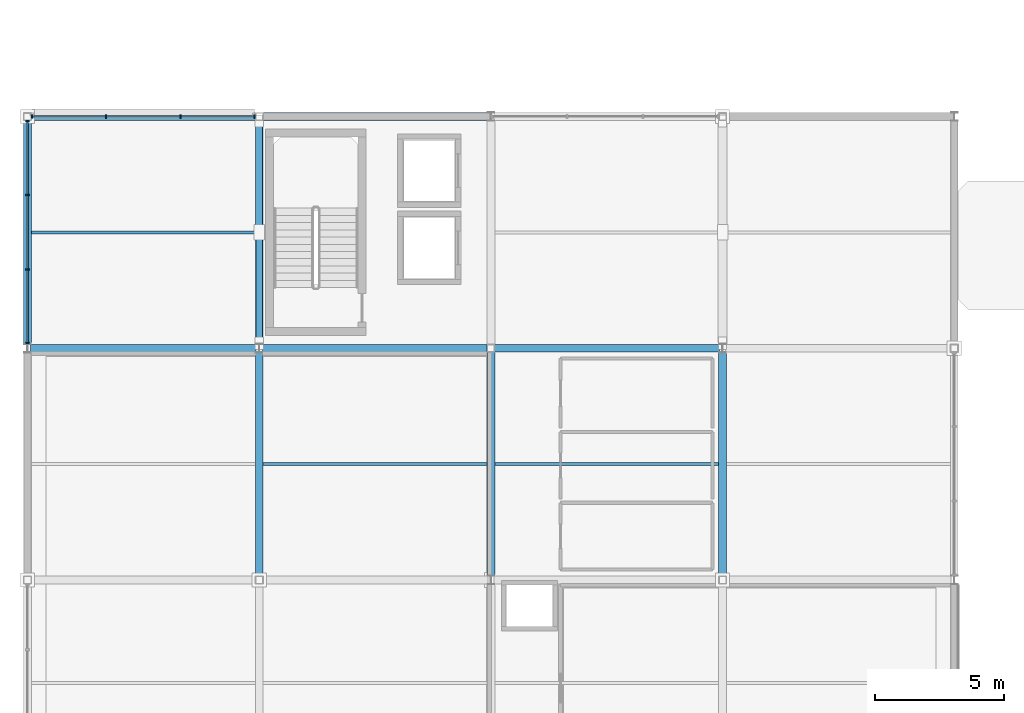
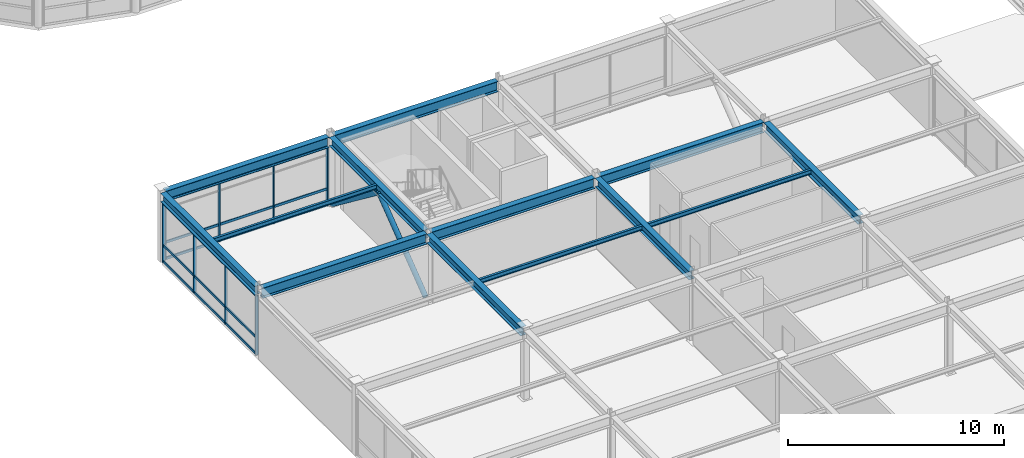
# One storey, part 29 of 108: 28 members, 13 beams, 2 elements without a shape of their own.
"""IFC4 building model written with IfcOpenShell, lengths in metres."""

import ifcopenshell
import ifcopenshell.guid

model = None  # the IFC model being written
_history = None  # IfcOwnerHistory: only IFC2X3 demands one
_inside = {}  # id of a spatial element -> (the spatial element, [elements in it])
_under = {}  # id of a project, library or spatial element -> (it, [spatial elements below it])
_declared = {}  # id of a project -> (the project, [libraries it declares])
_typed = {}  # id of a type object -> (the type object, [elements of that type])
_made_of = {}  # id of a material, layer set ... -> (it, [elements and type objects made of it])


def new_model(schema):
    """Start an empty IFC model of exactly this schema.

    Asked for "IFC4X3", IfcOpenShell would pick the latest addendum, in which some entities
    have other attributes; the version numbers below select the first issue.
    IFC2X3 requires an IfcOwnerHistory on every rooted entity: one is made here for all.
    """
    global model, _history
    if schema == "IFC4X3":
        model = ifcopenshell.file(schema_version=(4, 3, 0, 0))
    else:
        model = ifcopenshell.file(schema=schema)
    _inside.clear()
    _under.clear()
    _declared.clear()
    _typed.clear()
    _made_of.clear()
    _history = None
    if model.schema == "IFC2X3":
        org = make("IfcOrganization", Name="unknown")
        user = make(
            "IfcPersonAndOrganization",
            ThePerson=make("IfcPerson", FamilyName="unknown"),
            TheOrganization=org,
        )
        app = make(
            "IfcApplication",
            ApplicationDeveloper=org,
            Version="unknown",
            ApplicationFullName="unknown",
            ApplicationIdentifier="unknown",
        )
        _history = make(
            "IfcOwnerHistory",
            OwningUser=user,
            OwningApplication=app,
            ChangeAction="ADDED",
            CreationDate=0,
        )
    return model


def make(cls, **values):
    """One entity of the class cls with the attributes given. An attribute that is None is left unset."""
    return model.create_entity(
        cls, **{name: value for name, value in values.items() if value is not None}
    )


def rooted(cls, **values):
    """An entity with a GlobalId (a new one), such as an element, a storey or a relation."""
    return make(cls, GlobalId=ifcopenshell.guid.new(), OwnerHistory=_history, **values)


def si_unit(unit_type, name, prefix=None):
    """IfcSIUnit, for example si_unit("LENGTHUNIT", "METRE", prefix="MILLI")."""
    return make("IfcSIUnit", UnitType=unit_type, Prefix=prefix, Name=name)


def assignment(units):
    """IfcUnitAssignment: the units of a project."""
    return None if units is None else make("IfcUnitAssignment", Units=units)


def point(xyz):
    """IfcCartesianPoint."""
    return None if xyz is None else make("IfcCartesianPoint", Coordinates=xyz)


def direction(xyz):
    """IfcDirection."""
    return None if xyz is None else make("IfcDirection", DirectionRatios=xyz)


def frame(location, z_axis=None, x_axis=None):
    """IfcAxis2Placement3D, a coordinate frame: its origin and axes. An axis left out is left unset."""
    return make(
        "IfcAxis2Placement3D",
        Location=point(location),
        Axis=direction(z_axis),
        RefDirection=direction(x_axis),
    )


def frame_2d(location, x_axis=None):
    """IfcAxis2Placement2D, a coordinate frame in the plane: its origin and x axis."""
    return make(
        "IfcAxis2Placement2D", Location=point(location), RefDirection=direction(x_axis)
    )


def origin():
    """The frame at (0, 0, 0) with its axes left unset."""
    return frame((0.0, 0.0, 0.0))


def origin_2d():
    """The frame at (0, 0) in the plane with its x axis left unset."""
    return frame_2d((0.0, 0.0))


def place(relative_to, where):
    """IfcLocalPlacement: puts the frame where relative to a parent placement (None: the world)."""
    return make(
        "IfcLocalPlacement", PlacementRelTo=relative_to, RelativePlacement=where
    )


def context(
    kind, dimensions, precision=None, world=None, true_north=None, identifier=None
):
    """IfcGeometricRepresentationContext, for example the 3D "Model" context."""
    return make(
        "IfcGeometricRepresentationContext",
        ContextIdentifier=identifier,
        ContextType=kind,
        CoordinateSpaceDimension=dimensions,
        Precision=precision,
        WorldCoordinateSystem=world,
        TrueNorth=true_north,
    )


def subcontext(parent, identifier, kind, view, scale=None):
    """IfcGeometricRepresentationSubContext, for example "Body" below "Model"."""
    return make(
        "IfcGeometricRepresentationSubContext",
        ContextIdentifier=identifier,
        ContextType=kind,
        ParentContext=parent,
        TargetScale=scale,
        TargetView=view,
    )


def project(units=None, contexts=None):
    """IfcProject with its units and contexts."""
    return rooted(
        "IfcProject",
        Name="project",
        RepresentationContexts=contexts,
        UnitsInContext=assignment(units),
    )


def spatial(cls, under=None, at=None, **own):
    """A site, building, storey or space (cls), placed at a placement, below another one or the project."""
    s = rooted(cls, ObjectPlacement=at, **own)
    if under is not None:
        _under.setdefault(under.id(), (under, []))[1].append(s)
    return s


def profile(cls, at=None, kind="AREA", **sizes):
    """A parametric profile (cls). Its sizes go by their IFC names, for example OverallWidth=200.0."""
    return make(cls, ProfileType=kind, Position=at, **sizes)


def rectangle(**sizes):
    """IfcRectangleProfileDef."""
    return profile("IfcRectangleProfileDef", **sizes)


def hollow_circle(**sizes):
    """IfcCircleHollowProfileDef."""
    return profile("IfcCircleHollowProfileDef", **sizes)


def i_section(**sizes):
    """IfcIShapeProfileDef."""
    return profile("IfcIShapeProfileDef", **sizes)


def extrude(swept, where, along, depth):
    """IfcExtrudedAreaSolid: the profile swept, set in the frame where, extruded along a direction by depth."""
    return make(
        "IfcExtrudedAreaSolid",
        SweptArea=swept,
        Position=where,
        ExtrudedDirection=direction(along),
        Depth=depth,
    )


def shape(context_of_items, identifier, shape_type, items):
    """IfcShapeRepresentation: the items that make up one representation, for example the "Body"."""
    return make(
        "IfcShapeRepresentation",
        ContextOfItems=context_of_items,
        RepresentationIdentifier=identifier,
        RepresentationType=shape_type,
        Items=items,
    )


def material(Name=None, Category=None):
    """IfcMaterial."""
    return make("IfcMaterial", Name=Name, Category=Category)


def material_profile(
    of_material, cross_section, Name=None, Category=None, Priority=None
):
    """IfcMaterialProfile: a cross section and its material."""
    return make(
        "IfcMaterialProfile",
        Name=Name,
        Material=of_material,
        Profile=cross_section,
        Priority=Priority,
        Category=Category,
    )


def profile_set(profiles, Name=None, composite=None):
    """IfcMaterialProfileSet."""
    return make(
        "IfcMaterialProfileSet",
        Name=Name,
        MaterialProfiles=profiles,
        CompositeProfile=composite,
    )


def made_of(thing, what):
    """Note that an element or type object is made of a material, layer set ...; save() writes the relation."""
    if what is not None:
        _made_of.setdefault(what.id(), (what, []))[1].append(thing)
    return thing


def type_object(cls, material=None, **own):
    """A type object (cls), such as IfcWallType, which elements share."""
    return made_of(rooted(cls, **own), material)


def element(
    cls,
    number,
    at=None,
    inside=None,
    cuts=None,
    type_object=None,
    material=None,
    context=None,
    identifier="Body",
    shape_type=None,
    held_by="IfcProductDefinitionShape",
    body=None,
    shapes=None,
    **own,
):
    """One element of the class cls, such as IfcWall. Its Tag is "e" and its number.

    at: its placement. inside: the storey or other place that contains it. cuts: it is an
    opening in that element (IfcRelVoidsElement). A single representation is given by context,
    identifier, shape_type and body (its items); several are given by shapes. held_by: the class
    of the entity that holds the representations. save() writes the other relations.
    """
    e = rooted(cls, Tag="e%d" % number, ObjectPlacement=at, **own)
    if body is not None:
        shapes = [shape(context, identifier, shape_type, body)]
    if shapes is not None:
        e.Representation = make(held_by, Representations=shapes)
    if inside is not None:
        _inside.setdefault(inside.id(), (inside, []))[1].append(e)
    if cuts is not None:
        rooted(
            "IfcRelVoidsElement", RelatingBuildingElement=cuts, RelatedOpeningElement=e
        )
    if type_object is not None:
        _typed.setdefault(type_object.id(), (type_object, []))[1].append(e)
    return made_of(e, material)


def aggregate(whole, parts):
    """IfcRelAggregates: a whole, such as a stair, and the parts it consists of."""
    return rooted("IfcRelAggregates", RelatingObject=whole, RelatedObjects=parts)


def save(model, path):
    """Write the relations noted so far, then the file.

    IfcRelAggregates (storeys below a building ...), IfcRelContainedInSpatialStructure (elements
    in a storey), IfcRelDefinesByType, IfcRelAssociatesMaterial and IfcRelDeclares: one each for
    every whole, place, type object, material and project.
    """
    for whole, parts in _under.values():
        aggregate(whole, parts)
    for where, things in _inside.values():
        rooted(
            "IfcRelContainedInSpatialStructure",
            RelatedElements=things,
            RelatingStructure=where,
        )
    for kind, things in _typed.values():
        rooted("IfcRelDefinesByType", RelatedObjects=things, RelatingType=kind)
    for what, things in _made_of.values():
        rooted("IfcRelAssociatesMaterial", RelatedObjects=things, RelatingMaterial=what)
    for by, libraries in _declared.values():
        rooted("IfcRelDeclares", RelatingContext=by, RelatedDefinitions=libraries)
    model.write(path)


model = new_model("IFC4")

# Units and contexts
model_context = context("Model", 3, precision=1e-05, world=origin(), true_north=direction((0.0, 1.0)))
body_context = subcontext(model_context, "Body", "Model", "MODEL_VIEW")
ifc_project = project(units=[si_unit("LENGTHUNIT", "METRE"), si_unit("AREAUNIT", "SQUARE_METRE"), si_unit("VOLUMEUNIT", "CUBIC_METRE"), si_unit("PLANEANGLEUNIT", "RADIAN"), si_unit("MASSUNIT", "GRAM", prefix="KILO")], contexts=[model_context])

# Site, building, storey
site_placement = place(None, origin())
site = spatial("IfcSite", under=ifc_project, at=site_placement, CompositionType="ELEMENT")
building_placement = place(site_placement, origin())
building = spatial("IfcBuilding", under=site, at=building_placement, Name="Suzunagisa Mobility Hub", CompositionType="ELEMENT")
storey_placement = place(building_placement, frame((0.0, 0.0, 9.300048828125)))
storey = spatial("IfcBuildingStorey", under=building, at=storey_placement, Name="L02", CompositionType="ELEMENT", Elevation=9.300048828125)

# Curtain wall, members
ifc_material_1 = material(Name="Thermally Broken Anodized Aluminum and Low-E Glazing", Category="aluminium")
curtain_wall_type = type_object("IfcCurtainWallType", Name="Unitised Curtain Wall CW-12 8750x3300", PredefinedType="USERDEFINED", material=ifc_material_1)
curtain_wall_1_placement = place(storey_placement, origin())
curtain_wall_1 = element("IfcCurtainWall", 1, at=curtain_wall_1_placement, inside=storey, type_object=curtain_wall_type, Name="L02 Unitised Curtain Wall CW-30", ObjectType="UNITISED CURTAIN WALL", PredefinedType="USERDEFINED")
ifc_material_2 = material(Name="Anodized Aluminum 6063-T6", Category="aluminium")
ifc_material_profile_1 = material_profile(ifc_material_2, rectangle(XDim=0.06494140625, YDim=0.139892578125, at=origin_2d()), Name="TRAN-65x140")
ifc_profile_set_1 = profile_set([ifc_material_profile_1], Name="Anodized Aluminum 6063-T6")
member_type_1 = type_object("IfcMemberType", Name="Curtain Wall Framing CM-01 TRAN-65x140", PredefinedType="USERDEFINED", material=ifc_profile_set_1)
member_1_placement = place(storey_placement, frame((8.7919921875, 62.0, 0.032470703125), z_axis=(-1.0, 0.0, 0.0), x_axis=(0.0, -1.0, 0.0)))
member_1 = element("IfcMember", 2, at=member_1_placement, type_object=member_type_1, Name="Curtain Wall Transom 30-T1.1", ObjectType="TRANSOM", PredefinedType="USERDEFINED", context=body_context, shape_type="SweptSolid", body=[
    extrude(rectangle(XDim=0.06494140625, YDim=0.139892578125, at=origin_2d()), origin(), (0.0, 0.0, 1.0), 2.81396484375),
])
member_2_placement = place(storey_placement, frame((8.7919921875, 62.0, 0.949951171875), z_axis=(-1.0, 0.0, 0.0), x_axis=(0.0, -1.0, 0.0)))
member_2 = element("IfcMember", 3, at=member_2_placement, type_object=member_type_1, Name="Curtain Wall Transom 30-T1.2", ObjectType="TRANSOM", PredefinedType="USERDEFINED", context=body_context, shape_type="SweptSolid", body=[
    extrude(rectangle(XDim=0.06494140625, YDim=0.139892578125, at=origin_2d()), origin(), (0.0, 0.0, 1.0), 2.81396484375),
])
member_3_placement = place(storey_placement, frame((8.7919921875, 62.0, 3.299560546875), z_axis=(-1.0, 0.0, 0.0), x_axis=(0.0, -1.0, 0.0)))
member_3 = element("IfcMember", 4, at=member_3_placement, type_object=member_type_1, Name="Curtain Wall Transom 30-T1.3", ObjectType="TRANSOM", PredefinedType="USERDEFINED", context=body_context, shape_type="SweptSolid", body=[
    extrude(rectangle(XDim=0.06494140625, YDim=0.139892578125, at=origin_2d()), origin(), (0.0, 0.0, 1.0), 2.81396484375),
])
member_4_placement = place(storey_placement, frame((5.922119140625, 62.0, 0.032470703125), z_axis=(-1.0, 0.0, 0.0), x_axis=(0.0, -1.0, 0.0)))
member_4 = element("IfcMember", 5, at=member_4_placement, type_object=member_type_1, Name="Curtain Wall Transom 30-T2.1", ObjectType="TRANSOM", PredefinedType="USERDEFINED", context=body_context, shape_type="SweptSolid", body=[
    extrude(rectangle(XDim=0.06494140625, YDim=0.139892578125, at=origin_2d()), origin(), (0.0, 0.0, 1.0), 2.84423828125),
])
member_5_placement = place(storey_placement, frame((5.922119140625, 62.0, 0.949951171875), z_axis=(-1.0, 0.0, 0.0), x_axis=(0.0, -1.0, 0.0)))
member_5 = element("IfcMember", 6, at=member_5_placement, type_object=member_type_1, Name="Curtain Wall Transom 30-T2.2", ObjectType="TRANSOM", PredefinedType="USERDEFINED", context=body_context, shape_type="SweptSolid", body=[
    extrude(rectangle(XDim=0.06494140625, YDim=0.139892578125, at=origin_2d()), origin(), (0.0, 0.0, 1.0), 2.84423828125),
])
member_6_placement = place(storey_placement, frame((5.922119140625, 62.0, 3.299560546875), z_axis=(-1.0, 0.0, 0.0), x_axis=(0.0, -1.0, 0.0)))
member_6 = element("IfcMember", 7, at=member_6_placement, type_object=member_type_1, Name="Curtain Wall Transom 30-T2.3", ObjectType="TRANSOM", PredefinedType="USERDEFINED", context=body_context, shape_type="SweptSolid", body=[
    extrude(rectangle(XDim=0.06494140625, YDim=0.139892578125, at=origin_2d()), origin(), (0.0, 0.0, 1.0), 2.84423828125),
])
member_7_placement = place(storey_placement, frame((3.02197265625, 62.0, 0.032470703125), z_axis=(-1.0, 0.0, 0.0), x_axis=(0.0, -1.0, 0.0)))
member_7 = element("IfcMember", 8, at=member_7_placement, type_object=member_type_1, Name="Curtain Wall Transom 30-T3.1", ObjectType="TRANSOM", PredefinedType="USERDEFINED", context=body_context, shape_type="SweptSolid", body=[
    extrude(rectangle(XDim=0.06494140625, YDim=0.139892578125, at=origin_2d()), origin(), (0.0, 0.0, 1.0), 2.81396484375),
])
member_8_placement = place(storey_placement, frame((3.02197265625, 62.0, 0.949951171875), z_axis=(-1.0, 0.0, 0.0), x_axis=(0.0, -1.0, 0.0)))
member_8 = element("IfcMember", 9, at=member_8_placement, type_object=member_type_1, Name="Curtain Wall Transom 30-T3.2", ObjectType="TRANSOM", PredefinedType="USERDEFINED", context=body_context, shape_type="SweptSolid", body=[
    extrude(rectangle(XDim=0.06494140625, YDim=0.139892578125, at=origin_2d()), origin(), (0.0, 0.0, 1.0), 2.81396484375),
])
member_9_placement = place(storey_placement, frame((3.02197265625, 62.0, 3.299560546875), z_axis=(-1.0, 0.0, 0.0), x_axis=(0.0, -1.0, 0.0)))
member_9 = element("IfcMember", 10, at=member_9_placement, type_object=member_type_1, Name="Curtain Wall Transom 30-T3.3", ObjectType="TRANSOM", PredefinedType="USERDEFINED", context=body_context, shape_type="SweptSolid", body=[
    extrude(rectangle(XDim=0.06494140625, YDim=0.139892578125, at=origin_2d()), origin(), (0.0, 0.0, 1.0), 2.81396484375),
])

curtain_wall_2_placement = place(storey_placement, origin())
curtain_wall_2 = element("IfcCurtainWall", 11, at=curtain_wall_2_placement, inside=storey, type_object=curtain_wall_type, Name="L02 Unitised Curtain Wall CW-31", ObjectType="UNITISED CURTAIN WALL", PredefinedType="USERDEFINED")
member_10_placement = place(storey_placement, frame((0.0, 61.7919921875, 0.032470703125), z_axis=(0.0, -1.0, 0.0), x_axis=(1.0, 0.0, 0.0)))
member_10 = element("IfcMember", 12, at=member_10_placement, type_object=member_type_1, Name="Curtain Wall Transom 31-T1.1", ObjectType="TRANSOM", PredefinedType="USERDEFINED", context=body_context, shape_type="SweptSolid", body=[
    extrude(rectangle(XDim=0.06494140625, YDim=0.139892578125, at=origin_2d()), origin(), (0.0, 0.0, 1.0), 2.807373046875),
])
member_11_placement = place(storey_placement, frame((0.0, 61.7919921875, 0.949951171875), z_axis=(0.0, -1.0, 0.0), x_axis=(1.0, 0.0, 0.0)))
member_11 = element("IfcMember", 13, at=member_11_placement, type_object=member_type_1, Name="Curtain Wall Transom 31-T1.2", ObjectType="TRANSOM", PredefinedType="USERDEFINED", context=body_context, shape_type="SweptSolid", body=[
    extrude(rectangle(XDim=0.06494140625, YDim=0.139892578125, at=origin_2d()), origin(), (0.0, 0.0, 1.0), 2.807373046875),
])
member_12_placement = place(storey_placement, frame((0.0, 61.7919921875, 3.299560546875), z_axis=(0.0, -1.0, 0.0), x_axis=(1.0, 0.0, 0.0)))
member_12 = element("IfcMember", 14, at=member_12_placement, type_object=member_type_1, Name="Curtain Wall Transom 31-T1.3", ObjectType="TRANSOM", PredefinedType="USERDEFINED", context=body_context, shape_type="SweptSolid", body=[
    extrude(rectangle(XDim=0.06494140625, YDim=0.139892578125, at=origin_2d()), origin(), (0.0, 0.0, 1.0), 2.807373046875),
])
member_13_placement = place(storey_placement, frame((0.0, 58.9287109375, 0.032470703125), z_axis=(0.0, -1.0, 0.0), x_axis=(1.0, 0.0, 0.0)))
member_13 = element("IfcMember", 15, at=member_13_placement, type_object=member_type_1, Name="Curtain Wall Transom 31-T2.1", ObjectType="TRANSOM", PredefinedType="USERDEFINED", context=body_context, shape_type="SweptSolid", body=[
    extrude(rectangle(XDim=0.06494140625, YDim=0.139892578125, at=origin_2d()), origin(), (0.0, 0.0, 1.0), 2.83740234375),
])
member_14_placement = place(storey_placement, frame((0.0, 58.9287109375, 0.949951171875), z_axis=(0.0, -1.0, 0.0), x_axis=(1.0, 0.0, 0.0)))
member_14 = element("IfcMember", 16, at=member_14_placement, type_object=member_type_1, Name="Curtain Wall Transom 31-T2.2", ObjectType="TRANSOM", PredefinedType="USERDEFINED", context=body_context, shape_type="SweptSolid", body=[
    extrude(rectangle(XDim=0.06494140625, YDim=0.139892578125, at=origin_2d()), origin(), (0.0, 0.0, 1.0), 2.83740234375),
])
member_15_placement = place(storey_placement, frame((0.0, 58.9287109375, 3.299560546875), z_axis=(0.0, -1.0, 0.0), x_axis=(1.0, 0.0, 0.0)))
member_15 = element("IfcMember", 17, at=member_15_placement, type_object=member_type_1, Name="Curtain Wall Transom 31-T2.3", ObjectType="TRANSOM", PredefinedType="USERDEFINED", context=body_context, shape_type="SweptSolid", body=[
    extrude(rectangle(XDim=0.06494140625, YDim=0.139892578125, at=origin_2d()), origin(), (0.0, 0.0, 1.0), 2.83740234375),
])
member_16_placement = place(storey_placement, frame((0.0, 56.035400390625, 0.032470703125), z_axis=(0.0, -1.0, 0.0), x_axis=(1.0, 0.0, 0.0)))
member_16 = element("IfcMember", 18, at=member_16_placement, type_object=member_type_1, Name="Curtain Wall Transom 31-T3.1", ObjectType="TRANSOM", PredefinedType="USERDEFINED", context=body_context, shape_type="SweptSolid", body=[
    extrude(rectangle(XDim=0.06494140625, YDim=0.139892578125, at=origin_2d()), origin(), (0.0, 0.0, 1.0), 2.807373046875),
])
member_17_placement = place(storey_placement, frame((0.0, 56.035400390625, 0.949951171875), z_axis=(0.0, -1.0, 0.0), x_axis=(1.0, 0.0, 0.0)))
member_17 = element("IfcMember", 19, at=member_17_placement, type_object=member_type_1, Name="Curtain Wall Transom 31-T3.2", ObjectType="TRANSOM", PredefinedType="USERDEFINED", context=body_context, shape_type="SweptSolid", body=[
    extrude(rectangle(XDim=0.06494140625, YDim=0.139892578125, at=origin_2d()), origin(), (0.0, 0.0, 1.0), 2.807373046875),
])
member_18_placement = place(storey_placement, frame((0.0, 56.035400390625, 3.299560546875), z_axis=(0.0, -1.0, 0.0), x_axis=(1.0, 0.0, 0.0)))
member_18 = element("IfcMember", 20, at=member_18_placement, type_object=member_type_1, Name="Curtain Wall Transom 31-T3.3", ObjectType="TRANSOM", PredefinedType="USERDEFINED", context=body_context, shape_type="SweptSolid", body=[
    extrude(rectangle(XDim=0.06494140625, YDim=0.139892578125, at=origin_2d()), origin(), (0.0, 0.0, 1.0), 2.807373046875),
])

# Member
ifc_material_profile_2 = material_profile(ifc_material_2, rectangle(XDim=0.06005859375, YDim=0.14990234375, at=origin_2d()), Name="MULL-60x150")
ifc_profile_set_2 = profile_set([ifc_material_profile_2], Name="Anodized Aluminum 6063-T6")
member_type_2 = type_object("IfcMemberType", Name="Curtain Wall Framing CM-03 MULL-60x150", PredefinedType="MULLION", material=ifc_profile_set_2)
member_19_placement = place(storey_placement, frame((8.820068359375, 62.0, 0.0), z_axis=(0.0, 0.0, 1.0), x_axis=(-1.0, 0.0, 0.0)))
member_19 = element("IfcMember", 21, at=member_19_placement, type_object=member_type_2, Name="Curtain Wall Mullion 30-M1", PredefinedType="MULLION", context=body_context, shape_type="SweptSolid", body=[
    extrude(rectangle(XDim=0.06005859375, YDim=0.14990234375, at=origin_2d()), origin(), (0.0, 0.0, 1.0), 3.33203125),
])

member_20_placement = place(storey_placement, frame((5.949951171875, 62.0, 0.0), z_axis=(0.0, 0.0, 1.0), x_axis=(-1.0, 0.0, 0.0)))
member_20 = element("IfcMember", 22, at=member_20_placement, type_object=member_type_2, Name="Curtain Wall Mullion 30-M2", PredefinedType="MULLION", context=body_context, shape_type="SweptSolid", body=[
    extrude(rectangle(XDim=0.06005859375, YDim=0.14990234375, at=origin_2d()), origin(), (0.0, 0.0, 1.0), 3.33203125),
])

member_21_placement = place(storey_placement, frame((3.050048828125, 62.0, 0.0), z_axis=(0.0, 0.0, 1.0), x_axis=(-1.0, 0.0, 0.0)))
member_21 = element("IfcMember", 23, at=member_21_placement, type_object=member_type_2, Name="Curtain Wall Mullion 30-M3", PredefinedType="MULLION", context=body_context, shape_type="SweptSolid", body=[
    extrude(rectangle(XDim=0.06005859375, YDim=0.14990234375, at=origin_2d()), origin(), (0.0, 0.0, 1.0), 3.33203125),
])

member_22_placement = place(storey_placement, frame((0.179931640625, 62.0, 0.0), z_axis=(0.0, 0.0, 1.0), x_axis=(-1.0, 0.0, 0.0)))
member_22 = element("IfcMember", 24, at=member_22_placement, type_object=member_type_2, Name="Curtain Wall Mullion 30-M4", PredefinedType="MULLION", context=body_context, shape_type="SweptSolid", body=[
    extrude(rectangle(XDim=0.06005859375, YDim=0.14990234375, at=origin_2d()), origin(), (0.0, 0.0, 1.0), 3.33203125),
])

aggregate(curtain_wall_1, [member_19, member_20, member_21, member_22, member_1, member_2, member_3, member_4, member_5, member_6, member_7, member_8, member_9])

member_23_placement = place(storey_placement, frame((0.0, 61.820068359375, 0.0), z_axis=(0.0, 0.0, 1.0), x_axis=(0.0, -1.0, 0.0)))
member_23 = element("IfcMember", 25, at=member_23_placement, type_object=member_type_2, Name="Curtain Wall Mullion 31-M1", PredefinedType="MULLION", context=body_context, shape_type="SweptSolid", body=[
    extrude(rectangle(XDim=0.06005859375, YDim=0.14990234375, at=origin_2d()), origin(), (0.0, 0.0, 1.0), 3.33203125),
])

member_24_placement = place(storey_placement, frame((0.0, 58.956787109375, 0.0), z_axis=(0.0, 0.0, 1.0), x_axis=(0.0, -1.0, 0.0)))
member_24 = element("IfcMember", 26, at=member_24_placement, type_object=member_type_2, Name="Curtain Wall Mullion 31-M2", PredefinedType="MULLION", context=body_context, shape_type="SweptSolid", body=[
    extrude(rectangle(XDim=0.06005859375, YDim=0.14990234375, at=origin_2d()), origin(), (0.0, 0.0, 1.0), 3.33203125),
])

member_25_placement = place(storey_placement, frame((0.0, 56.063232421875, 0.0), z_axis=(0.0, 0.0, 1.0), x_axis=(0.0, -1.0, 0.0)))
member_25 = element("IfcMember", 27, at=member_25_placement, type_object=member_type_2, Name="Curtain Wall Mullion 31-M3", PredefinedType="MULLION", context=body_context, shape_type="SweptSolid", body=[
    extrude(rectangle(XDim=0.06005859375, YDim=0.14990234375, at=origin_2d()), origin(), (0.0, 0.0, 1.0), 3.33203125),
])

member_26_placement = place(storey_placement, frame((0.0, 53.199951171875, 0.0), z_axis=(0.0, 0.0, 1.0), x_axis=(0.0, -1.0, 0.0)))
member_26 = element("IfcMember", 28, at=member_26_placement, type_object=member_type_2, Name="Curtain Wall Mullion 31-M4", PredefinedType="MULLION", context=body_context, shape_type="SweptSolid", body=[
    extrude(rectangle(XDim=0.06005859375, YDim=0.14990234375, at=origin_2d()), origin(), (0.0, 0.0, 1.0), 3.33203125),
])

aggregate(curtain_wall_2, [member_23, member_24, member_25, member_26, member_10, member_11, member_12, member_13, member_14, member_15, member_16, member_17, member_18])

# Members
ifc_material_3 = material(Name="Steel SN490B", Category="steel")
ifc_material_profile_3 = material_profile(ifc_material_3, hollow_circle(Radius=0.1337890625, WallThickness=0.00927734375, at=origin_2d()), Name="CHS-267.4x9.3")
ifc_profile_set_3 = profile_set([ifc_material_profile_3], Name="Steel SN490B")
member_type_3 = type_object("IfcMemberType", Name="Roof Truss and Brace Member MB-06 CHS-267.4x9.3", PredefinedType="BRACE", material=ifc_profile_set_3)
member_27_placement = place(storey_placement, frame((9.0, 53.18994140625, 0.119873046875), z_axis=(0.0, 0.794164986124, 0.607702208992), x_axis=(-1.0, 0.0, 0.0)))
element("IfcMember", 29, at=member_27_placement, inside=storey, type_object=member_type_3, Name="L02 Concentric Lateral Brace BR-7", PredefinedType="BRACE", context=body_context, shape_type="SweptSolid", body=[
    extrude(hollow_circle(Radius=0.1337890625, WallThickness=0.00927734375, at=origin_2d()), origin(), (0.0, 0.0, 1.0), 5.42724609375),
])
member_28_placement = place(storey_placement, frame((9.0, 61.830078125, 0.119873046875), z_axis=(0.0, -0.795521289596, 0.605925637187), x_axis=(1.0, 0.0, 0.0)))
element("IfcMember", 30, at=member_28_placement, inside=storey, type_object=member_type_3, Name="L02 Concentric Lateral Brace BR-8", PredefinedType="BRACE", context=body_context, shape_type="SweptSolid", body=[
    extrude(hollow_circle(Radius=0.1337890625, WallThickness=0.00927734375, at=origin_2d()), origin(), (0.0, 0.0, 1.0), 5.443115234375),
])

# Beams
ifc_material_profile_4 = material_profile(ifc_material_3, i_section(OverallWidth=0.300048828125, OverallDepth=0.488037109375, WebThickness=0.010986328125, FlangeThickness=0.01806640625, FilletRadius=0.012939453125, at=origin_2d()), Name="H-488x300x11x18")
ifc_profile_set_4 = profile_set([ifc_material_profile_4], Name="Steel SN490B")
beam_type_1 = type_object("IfcBeamType", Name="Steel Beam BM-06 H-488x300x11x18", PredefinedType="BEAM", material=ifc_profile_set_4)
for number, where, z_axis, x_axis, name in (
    (31, (0.0, 53.166015625, 3.676025390625), (0.0, 1.0, 0.0), (-1.0, 0.0, 0.0), "L02 Primary Girder GY-302"),
    (32, (9.0, 44.14599609375, 3.676025390625), (0.0, 1.0, 0.0), (-1.0, 0.0, 0.0), "L02 Primary Girder GY-307"),
    (33, (9.0, 53.166015625, 3.676025390625), (0.0, 1.0, 0.0), (-1.0, 0.0, 0.0), "L02 Primary Girder GY-308"),
    (34, (18.0, 44.166015625, 3.676025390625), (0.0, 1.0, 0.0), (-1.0, 0.0, 0.0), "L02 Primary Girder GY-313"),
    (35, (27.0, 44.14599609375, 3.676025390625), (0.0, 1.0, 0.0), (-1.0, 0.0, 0.0), "L02 Primary Girder GY-319"),
):
    element("IfcBeam", number, at=place(storey_placement, frame(where, z_axis=z_axis, x_axis=x_axis)), inside=storey, type_object=beam_type_1, Name=name, PredefinedType="BEAM", context=body_context, shape_type="SweptSolid", body=[
        extrude(i_section(OverallWidth=0.300048828125, OverallDepth=0.488037109375, WebThickness=0.010986328125, FlangeThickness=0.01806640625, FilletRadius=0.012939453125, at=origin_2d()), origin(), (0.0, 0.0, 1.0), 8.68798828125),
    ])
ifc_material_profile_5 = material_profile(ifc_material_3, i_section(OverallWidth=0.300048828125, OverallDepth=0.587890625, WebThickness=0.011962890625, FlangeThickness=0.02001953125, FilletRadius=0.012939453125, at=origin_2d()), Name="H-588x300x12x20")
ifc_profile_set_5 = profile_set([ifc_material_profile_5], Name="Steel SN490B")
beam_type_2 = type_object("IfcBeamType", Name="Steel Beam BM-16 H-588x300x12x20", PredefinedType="BEAM", material=ifc_profile_set_5)
beam_1_placement = place(storey_placement, frame((0.12109375, 53.0, 3.6259765625), z_axis=(1.0, 0.0, 0.0), x_axis=(0.0, 1.0, 0.0)))
element("IfcBeam", 36, at=beam_1_placement, inside=storey, type_object=beam_type_2, Name="L02 Primary Girder GX-290", PredefinedType="BEAM", context=body_context, shape_type="SweptSolid", body=[
    extrude(i_section(OverallWidth=0.300048828125, OverallDepth=0.587890625, WebThickness=0.011962890625, FlangeThickness=0.02001953125, FilletRadius=0.012939453125, at=origin_2d()), origin(), (0.0, 0.0, 1.0), 8.7578125),
])
for number, where, z_axis, x_axis, name in (
    (37, (9.12109375, 53.0, 3.6259765625), (1.0, 0.0, 0.0), (0.0, 1.0, 0.0), "L02 Primary Girder GX-291"),
    (38, (18.14599609375, 53.0, 3.6259765625), (1.0, 0.0, 0.0), (0.0, 1.0, 0.0), "L02 Primary Girder GX-292"),
):
    element("IfcBeam", number, at=place(storey_placement, frame(where, z_axis=z_axis, x_axis=x_axis)), inside=storey, type_object=beam_type_2, Name=name, PredefinedType="BEAM", context=body_context, shape_type="SweptSolid", body=[
        extrude(i_section(OverallWidth=0.300048828125, OverallDepth=0.587890625, WebThickness=0.011962890625, FlangeThickness=0.02001953125, FilletRadius=0.012939453125, at=origin_2d()), origin(), (0.0, 0.0, 1.0), 8.73291015625),
    ])
beam_2_placement = place(storey_placement, frame((0.14599609375, 62.0, 3.6259765625), z_axis=(1.0, 0.0, 0.0), x_axis=(0.0, 1.0, 0.0)))
element("IfcBeam", 39, at=beam_2_placement, inside=storey, type_object=beam_type_2, Name="L02 Primary Girder GX-294", PredefinedType="BEAM", context=body_context, shape_type="SweptSolid", body=[
    extrude(i_section(OverallWidth=0.300048828125, OverallDepth=0.587890625, WebThickness=0.011962890625, FlangeThickness=0.02001953125, FilletRadius=0.012939453125, at=origin_2d()), origin(), (0.0, 0.0, 1.0), 8.7080078125),
])
beam_3_placement = place(storey_placement, frame((9.14599609375, 62.0, 3.6259765625), z_axis=(1.0, 0.0, 0.0), x_axis=(0.0, 1.0, 0.0)))
element("IfcBeam", 40, at=beam_3_placement, inside=storey, type_object=beam_type_2, Name="L02 Primary Girder GX-295", PredefinedType="BEAM", context=body_context, shape_type="SweptSolid", body=[
    extrude(i_section(OverallWidth=0.300048828125, OverallDepth=0.587890625, WebThickness=0.011962890625, FlangeThickness=0.02001953125, FilletRadius=0.012939453125, at=origin_2d()), origin(), (0.0, 0.0, 1.0), 8.73291015625),
])
ifc_material_4 = material(Name="Steel SN400B", Category="steel")
ifc_material_profile_6 = material_profile(ifc_material_4, i_section(OverallWidth=0.125, OverallDepth=0.25, WebThickness=0.006103515625, FlangeThickness=0.009033203125, FilletRadius=0.008056640625, at=origin_2d()), Name="H-250x125x6x9")
ifc_profile_set_6 = profile_set([ifc_material_profile_6], Name="Steel SN400B")
beam_type_3 = type_object("IfcBeamType", Name="Steel Beam BM-21 H-250x125x6x9", PredefinedType="JOIST", material=ifc_profile_set_6)
for number, where, z_axis, x_axis, name in (
    (41, (0.14990234375, 57.5, 3.794921875), (1.0, 0.0, 0.0), (0.0, 1.0, 0.0), "L02 Composite Floor Joist J-332"),
    (42, (9.14990234375, 48.5, 3.794921875), (1.0, 0.0, 0.0), (0.0, 1.0, 0.0), "L02 Composite Floor Joist J-336"),
    (43, (18.14990234375, 48.5, 3.794921875), (1.0, 0.0, 0.0), (0.0, 1.0, 0.0), "L02 Composite Floor Joist J-341"),
):
    element("IfcBeam", number, at=place(storey_placement, frame(where, z_axis=z_axis, x_axis=x_axis)), inside=storey, type_object=beam_type_3, Name=name, PredefinedType="JOIST", context=body_context, shape_type="SweptSolid", body=[
        extrude(i_section(OverallWidth=0.125, OverallDepth=0.25, WebThickness=0.006103515625, FlangeThickness=0.009033203125, FilletRadius=0.008056640625, at=origin_2d()), origin(), (0.0, 0.0, 1.0), 8.7001953125),
    ])

save(model, "model.ifc")
